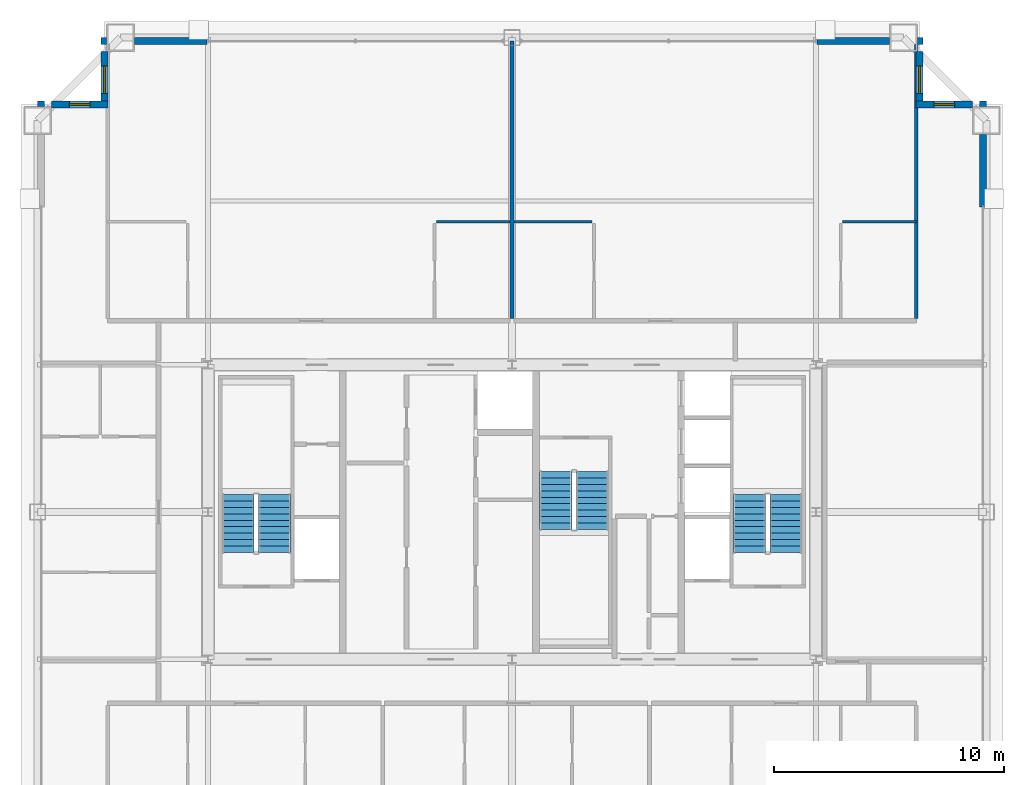
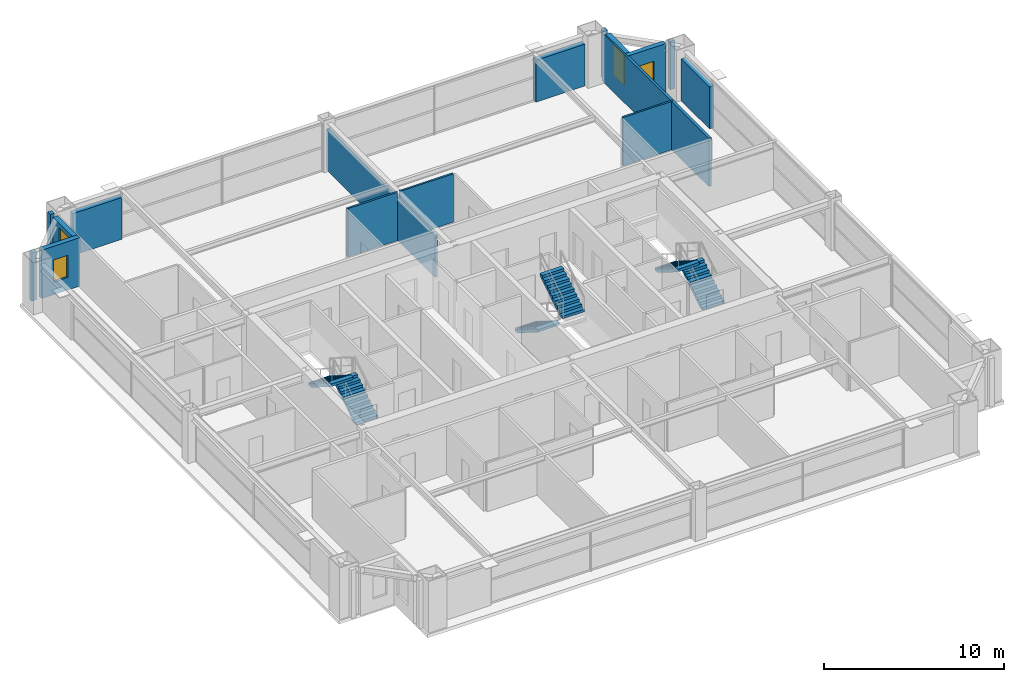
# One storey, part 36 of 37: 16 walls, 6 stair flights, 4 windows, 4 openings, 3 elements without a shape of their own.
"""IFC4 building model written with IfcOpenShell, lengths in metres."""

from ifc_helpers import new_model, si_unit, direction, frame, frame_2d, origin, place, context, subcontext, project, spatial, polyline, rectangle, outline, extrude, source, transform, mapped, material, layer, layer_set, type_object, element, fill, aggregate, save


model = new_model("IFC4")

# Units and contexts
model_context = context("Model", 3, precision=1e-05, world=origin(), true_north=direction((0.0, 1.0)))
body_context = subcontext(model_context, "Body", "Model", "MODEL_VIEW")
ifc_project = project(units=[si_unit("LENGTHUNIT", "METRE"), si_unit("AREAUNIT", "SQUARE_METRE"), si_unit("VOLUMEUNIT", "CUBIC_METRE"), si_unit("PLANEANGLEUNIT", "RADIAN"), si_unit("MASSUNIT", "GRAM", prefix="KILO"), si_unit("THERMODYNAMICTEMPERATUREUNIT", "KELVIN"), si_unit("POWERUNIT", "WATT")], contexts=[model_context])

# Site, building, storey
site_placement = place(None, origin())
site = spatial("IfcSite", under=ifc_project, at=site_placement, CompositionType="ELEMENT")
building_placement = place(site_placement, origin())
building = spatial("IfcBuilding", under=site, at=building_placement, Name="Yuzanri Waterfront Tower", CompositionType="ELEMENT")
storey_placement = place(building_placement, frame((0.0, 0.0, 268.10009765625)))
storey = spatial("IfcBuildingStorey", under=building, at=storey_placement, Name="L71", CompositionType="ELEMENT", Elevation=268.10009765625)

# Wall, opening, window
ifc_material_1 = material(Name="Honed Chongqing Dark Basalt Stone", Category="masonry")
ifc_layer_1 = layer(ifc_material_1, 0.300048828125)
ifc_layer_set_1 = layer_set([ifc_layer_1], Name="Honed Chongqing Dark Basalt Stone")
wall_type_1 = type_object("IfcWallType", Name="Bronze Rainscreen Insulated Spandrel Portal Wall 300", PredefinedType="SOLIDWALL", material=ifc_layer_set_1)
wall_1_placement = place(storey_placement, frame((19.449951171875, 43.5, 0.0), z_axis=(0.0, 0.0, 1.0), x_axis=(-1.0, 0.0, 0.0)))
wall_1 = element("IfcWall", 1, at=wall_1_placement, inside=storey, type_object=wall_type_1, Name="L71 Notched Corner Masonry Wall NW-X", PredefinedType="SOLIDWALL", context=body_context, shape_type="SweptSolid", body=[
    extrude(rectangle(XDim=2.449951171875, YDim=0.300048828125, at=frame_2d((1.22509765625, 0.0))), origin(), (0.0, 0.0, 1.0), 3.27978515625),
])
opening_1_placement = place(wall_1_placement, frame((0.77490234375, 0.0, 0.85009765625)))
opening_1 = element("IfcOpeningElement", 2, at=opening_1_placement, cuts=wall_1, Name="Opening WN-05", PredefinedType="OPENING", context=body_context, shape_type="SweptSolid", body=[
    extrude(rectangle(XDim=0.89990234375, YDim=1.5, at=frame_2d((0.449951171875, 0.75))), frame((0.0, 0.1650390625, 0.0), z_axis=(0.0, -1.0, 0.0), x_axis=(1.0, 0.0, 0.0)), (0.0, 0.0, 1.0), 0.329833984375),
])
ifc_material_2 = material(Name="Double-Silver Low-E Insulated Glass", Category="glass")
window_type_1 = type_object("IfcWindowType", Name="Anodized Bronze Service and Stairwell Smoke-Vent Window 900x1500", PartitioningType="SINGLE_PANEL", PredefinedType="WINDOW", material=ifc_material_2)
shared_shape_1 = source(origin(), body_context, "Body", "SweptSolid", [
    extrude(rectangle(XDim=0.89990234375, YDim=1.5, at=frame_2d((0.449951171875, 0.75))), frame((0.0, 0.030029296875, 0.0), z_axis=(0.0, -1.0, 0.0), x_axis=(1.0, 0.0, 0.0)), (0.0, 0.0, 1.0), 0.06005859375),
])
window_1_placement = place(opening_1_placement, origin())
window_1 = element("IfcWindow", 3, at=window_1_placement, inside=storey, type_object=window_type_1, Name="L71 Notched Corner Window NW-X", OverallHeight=1.5, OverallWidth=0.89990234375, PartitioningType="SINGLE_PANEL", PredefinedType="WINDOW", context=body_context, shape_type="MappedRepresentation", body=[
    mapped(shared_shape_1, transform((0.0, 0.0, 0.0), scale=1.0)),
])
fill(opening_1, window_1)

wall_2_placement = place(storey_placement, frame((19.300048828125, 45.800048828125, 0.0), z_axis=(0.0, 0.0, 1.0), x_axis=(0.0, -1.0, 0.0)))
wall_2 = element("IfcWall", 4, at=wall_2_placement, inside=storey, type_object=wall_type_1, Name="L71 Notched Corner Masonry Wall NW-Y", PredefinedType="SOLIDWALL", context=body_context, shape_type="SweptSolid", body=[
    extrude(rectangle(XDim=2.449951171875, YDim=0.300048828125, at=frame_2d((1.22509765625, 0.0))), origin(), (0.0, 0.0, 1.0), 3.27978515625),
])
opening_2_placement = place(wall_2_placement, frame((0.625, 0.0, 0.85009765625)))
opening_2 = element("IfcOpeningElement", 5, at=opening_2_placement, cuts=wall_2, Name="Opening WN-02", PredefinedType="OPENING", context=body_context, shape_type="SweptSolid", body=[
    extrude(rectangle(XDim=1.199951171875, YDim=2.10009765625, at=frame_2d((0.60009765625, 1.050048828125))), frame((0.0, 0.1650390625, 0.0), z_axis=(0.0, -1.0, 0.0), x_axis=(1.0, 0.0, 0.0)), (0.0, 0.0, 1.0), 0.329833984375),
])
ifc_material_3 = material(Name="Double-Silver Low-E Insulated Glass", Category="glass")
window_type_2 = type_object("IfcWindowType", Name="Anodized Bronze Notched Corner Deep-Set Slot Window 1200x2100", PartitioningType="SINGLE_PANEL", PredefinedType="WINDOW", material=ifc_material_3)
shared_shape_2 = source(origin(), body_context, "Body", "SweptSolid", [
    extrude(rectangle(XDim=1.199951171875, YDim=2.10009765625, at=frame_2d((0.60009765625, 1.050048828125))), frame((0.0, 0.030029296875, 0.0), z_axis=(0.0, -1.0, 0.0), x_axis=(1.0, 0.0, 0.0)), (0.0, 0.0, 1.0), 0.06005859375),
])
window_2_placement = place(opening_2_placement, origin())
window_2 = element("IfcWindow", 6, at=window_2_placement, inside=storey, type_object=window_type_2, Name="L71 Notched Corner Window NW-Y", OverallHeight=2.10009765625, OverallWidth=1.199951171875, PartitioningType="SINGLE_PANEL", PredefinedType="WINDOW", context=body_context, shape_type="MappedRepresentation", body=[
    mapped(shared_shape_2, transform((0.0, 0.0, 0.0), scale=1.0)),
])
fill(opening_2, window_2)

wall_3_placement = place(storey_placement, frame((57.0, 43.5, 0.0), z_axis=(0.0, 0.0, 1.0), x_axis=(-1.0, 0.0, 0.0)))
wall_3 = element("IfcWall", 7, at=wall_3_placement, inside=storey, type_object=wall_type_1, Name="L71 Notched Corner Masonry Wall NE-X", PredefinedType="SOLIDWALL", context=body_context, shape_type="SweptSolid", body=[
    extrude(rectangle(XDim=2.449951171875, YDim=0.300048828125, at=frame_2d((1.22509765625, 0.0))), origin(), (0.0, 0.0, 1.0), 3.27978515625),
])
opening_3_placement = place(wall_3_placement, frame((0.77490234375, 0.0, 0.85009765625)))
opening_3 = element("IfcOpeningElement", 8, at=opening_3_placement, cuts=wall_3, Name="Opening WN-05", PredefinedType="OPENING", context=body_context, shape_type="SweptSolid", body=[
    extrude(rectangle(XDim=0.89990234375, YDim=1.5, at=frame_2d((0.449951171875, 0.75))), frame((0.0, 0.1650390625, 0.0), z_axis=(0.0, -1.0, 0.0), x_axis=(1.0, 0.0, 0.0)), (0.0, 0.0, 1.0), 0.329833984375),
])
window_3_placement = place(opening_3_placement, origin())
window_3 = element("IfcWindow", 9, at=window_3_placement, inside=storey, type_object=window_type_1, Name="L71 Notched Corner Window NE-X", OverallHeight=1.5, OverallWidth=0.89990234375, PartitioningType="SINGLE_PANEL", PredefinedType="WINDOW", context=body_context, shape_type="MappedRepresentation", body=[
    mapped(shared_shape_1, transform((0.0, 0.0, 0.0), scale=1.0)),
])
fill(opening_3, window_3)

wall_4_placement = place(storey_placement, frame((54.699951171875, 43.35009765625, 0.0), z_axis=(0.0, 0.0, 1.0), x_axis=(0.0, 1.0, 0.0)))
wall_4 = element("IfcWall", 10, at=wall_4_placement, inside=storey, type_object=wall_type_1, Name="L71 Notched Corner Masonry Wall NE-Y", PredefinedType="SOLIDWALL", context=body_context, shape_type="SweptSolid", body=[
    extrude(rectangle(XDim=2.449951171875, YDim=0.300048828125, at=frame_2d((1.22509765625, 0.0))), origin(), (0.0, 0.0, 1.0), 3.27978515625),
])
opening_4_placement = place(wall_4_placement, frame((0.625, 0.0, 0.85009765625)))
opening_4 = element("IfcOpeningElement", 11, at=opening_4_placement, cuts=wall_4, Name="Opening WN-02", PredefinedType="OPENING", context=body_context, shape_type="SweptSolid", body=[
    extrude(rectangle(XDim=1.199951171875, YDim=2.10009765625, at=frame_2d((0.60009765625, 1.050048828125))), frame((0.0, 0.1650390625, 0.0), z_axis=(0.0, -1.0, 0.0), x_axis=(1.0, 0.0, 0.0)), (0.0, 0.0, 1.0), 0.329833984375),
])
window_4_placement = place(opening_4_placement, origin())
window_4 = element("IfcWindow", 12, at=window_4_placement, inside=storey, type_object=window_type_2, Name="L71 Notched Corner Window NE-Y", OverallHeight=2.10009765625, OverallWidth=1.199951171875, PartitioningType="SINGLE_PANEL", PredefinedType="WINDOW", context=body_context, shape_type="MappedRepresentation", body=[
    mapped(shared_shape_2, transform((0.0, 0.0, 0.0), scale=1.0)),
])
fill(opening_4, window_4)

# Walls
shared_shape_3 = source(origin(), body_context, "Body", "SweptSolid", [
    extrude(rectangle(XDim=0.25, YDim=0.300048828125, at=frame_2d((0.125, 0.0))), origin(), (0.0, 0.0, 1.0), 3.27978515625),
])
for number, where, z_axis, x_axis, name in (
    (13, (19.14990234375, 46.25, 0.0), (0.0, 0.0, 1.0), (1.0, 0.0, 0.0), "L71 Corner Column Shoulder Return CNW"),
    (14, (54.60009765625, 46.25, 0.0), (0.0, 0.0, 1.0), (1.0, 0.0, 0.0), "L71 Corner Column Shoulder Return CNE"),
    (15, (16.550048828125, 43.39990234375, 0.0), (0.0, 0.0, 1.0), (0.0, 1.0, 0.0), "L71 Corner Column Shoulder Return CWN"),
    (16, (57.449951171875, 43.39990234375, 0.0), (0.0, 0.0, 1.0), (0.0, 1.0, 0.0), "L71 Corner Column Shoulder Return CEN"),
):
    element("IfcWall", number, at=place(storey_placement, frame(where, z_axis=z_axis, x_axis=x_axis)), inside=storey, type_object=wall_type_1, Name=name, PredefinedType="SOLIDWALL", context=body_context, shape_type="MappedRepresentation", body=[
        mapped(shared_shape_3, transform((0.0, 0.0, 0.0), scale=1.0)),
    ])
shared_shape_4 = source(origin(), body_context, "Body", "SweptSolid", [
    extrude(rectangle(XDim=3.14990234375, YDim=0.300048828125, at=frame_2d((1.574951171875, 0.0))), origin(), (0.0, 0.0, 1.0), 2.8349609375),
])
for number, where, z_axis, x_axis, name in (
    (17, (20.60009765625, 46.25, 0.0), (0.0, 0.0, 1.0), (1.0, 0.0, 0.0), "L71 N Left Braced Masonry Shoulder"),
    (18, (50.25, 46.25, 0.0), (0.0, 0.0, 1.0), (1.0, 0.0, 0.0), "L71 N Right Braced Masonry Shoulder"),
    (19, (57.449951171875, 39.050048828125, 0.0), (0.0, 0.0, 1.0), (0.0, 1.0, 0.0), "L71 E Right Braced Masonry Shoulder"),
):
    element("IfcWall", number, at=place(storey_placement, frame(where, z_axis=z_axis, x_axis=x_axis)), inside=storey, type_object=wall_type_1, Name=name, PredefinedType="SOLIDWALL", context=body_context, shape_type="MappedRepresentation", body=[
        mapped(shared_shape_4, transform((0.0, 0.0, 0.0), scale=1.0)),
    ])
ifc_material_4 = material(Name="Gypsum Fireboard Acoustic Stud Wall", Category="gypsum")
ifc_layer_2 = layer(ifc_material_4, 0.159912109375)
ifc_layer_set_2 = layer_set([ifc_layer_2], Name="Gypsum Fireboard Acoustic Stud Wall")
wall_type_2 = type_object("IfcWallType", Name="Acoustic Suite Demising Partition 160", PredefinedType="PARTITIONING", material=ifc_layer_set_2)
shared_shape_5 = source(origin(), body_context, "Body", "SweptSolid", [
    extrude(rectangle(XDim=12.0400390625, YDim=0.159912109375, at=frame_2d((6.02001953125, 0.0))), origin(), (0.0, 0.0, 1.0), 2.786865234375),
])
wall_5_placement = place(storey_placement, frame((37.0, 34.2099609375, 0.0), z_axis=(0.0, 0.0, 1.0), x_axis=(0.0, 1.0, 0.0)))
element("IfcWall", 20, at=wall_5_placement, inside=storey, type_object=wall_type_2, Name="L71-HN1 Party Wall", PredefinedType="PARTITIONING", context=body_context, shape_type="MappedRepresentation", body=[
    mapped(shared_shape_5, transform((0.0, 0.0, 0.0), scale=1.0)),
])
ifc_material_5 = material(Name="Moisture-Resistant Gypsum Stud Wall", Category="gypsum")
ifc_layer_3 = layer(ifc_material_5, 0.1201171875)
ifc_layer_set_3 = layer_set([ifc_layer_3], Name="Moisture-Resistant Gypsum Stud Wall")
wall_type_3 = type_object("IfcWallType", Name="Bathroom and Kitchen Wet Partition 120", PredefinedType="PARTITIONING", material=ifc_layer_set_3)
shared_shape_6 = source(origin(), body_context, "Body", "SweptSolid", [
    extrude(rectangle(XDim=3.199951171875, YDim=0.1201171875, at=frame_2d((1.60009765625, 0.0))), origin(), (0.0, 0.0, 1.0), 3.27978515625),
])
for number, where, z_axis, x_axis, name in (
    (21, (33.719970703125, 38.39990234375, 0.0), (0.0, 0.0, 1.0), (1.0, 0.0, 0.0), "L71 Partition UW-L71-HN1-SUB-2-N"),
    (22, (51.360107421875, 38.39990234375, 0.0), (0.0, 0.0, 1.0), (1.0, 0.0, 0.0), "L71 Partition UW-L71-HN2-SUB-2-N"),
):
    element("IfcWall", number, at=place(storey_placement, frame(where, z_axis=z_axis, x_axis=x_axis)), inside=storey, type_object=wall_type_3, Name=name, PredefinedType="PARTITIONING", context=body_context, shape_type="MappedRepresentation", body=[
        mapped(shared_shape_6, transform((0.0, 0.0, 0.0), scale=1.0)),
    ])
shared_shape_7 = source(origin(), body_context, "Body", "SweptSolid", [
    extrude(rectangle(XDim=11.89013671875, YDim=0.159912109375, at=frame_2d((5.945068359375, 0.0))), origin(), (0.0, 0.0, 1.0), 3.27978515625),
])
wall_6_placement = place(storey_placement, frame((54.550048828125, 34.2099609375, 0.0), z_axis=(0.0, 0.0, 1.0), x_axis=(0.0, 1.0, 0.0)))
element("IfcWall", 23, at=wall_6_placement, inside=storey, type_object=wall_type_2, Name="L71 North Band East End Wall", PredefinedType="PARTITIONING", context=body_context, shape_type="MappedRepresentation", body=[
    mapped(shared_shape_7, transform((0.0, 0.0, 0.0), scale=1.0)),
])
shared_shape_8 = source(origin(), body_context, "Body", "SweptSolid", [
    extrude(rectangle(XDim=3.39990234375, YDim=0.1201171875, at=frame_2d((1.699951171875, 0.0))), origin(), (0.0, 0.0, 1.0), 3.27978515625),
])
wall_7_placement = place(storey_placement, frame((37.080078125, 38.39990234375, 0.0), z_axis=(0.0, 0.0, 1.0), x_axis=(1.0, 0.0, 0.0)))
element("IfcWall", 24, at=wall_7_placement, inside=storey, type_object=wall_type_3, Name="L71 Partition UW-L71-HN2-SUB-1-N", PredefinedType="PARTITIONING", context=body_context, shape_type="MappedRepresentation", body=[
    mapped(shared_shape_8, transform((0.0, 0.0, 0.0), scale=1.0)),
])

# Stair, stair flights
ifc_material_6 = material(Name="Concrete C40", Category="concrete")
stair_type = type_object("IfcStairType", Name="Concrete C40 Core Dogleg Exit Stair", PredefinedType="HALF_TURN_STAIR", material=ifc_material_6)
stair_1_placement = place(storey_placement, origin())
stair_1 = element("IfcStair", 25, at=stair_1_placement, inside=storey, type_object=stair_type, Name="L71 Smoke-Proof Core Stair ST-01", PredefinedType="HALF_TURN_STAIR")
ifc_material_7 = material(Name="Concrete C40", Category="concrete")
stair_flight_type = type_object("IfcStairFlightType", Name="Concrete C40 Precast Stair Flight 1380", PredefinedType="STRAIGHT", material=ifc_material_7)
shared_shape_9 = source(origin(), body_context, "Body", "SweptSolid", [
    extrude(outline(polyline([(0.0, 0.0), (0.0, 0.175048828125), (0.280029296875, 0.175048828125), (0.280029296875, 0.35009765625), (0.56005859375, 0.35009765625), (0.56005859375, 0.52490234375), (0.840087890625, 0.52490234375), (0.840087890625, 0.699951171875), (1.1201171875, 0.699951171875), (1.1201171875, 0.875), (1.39990234375, 0.875), (1.39990234375, 1.050048828125), (1.679931640625, 1.050048828125), (1.679931640625, 1.22509765625), (1.9599609375, 1.22509765625), (1.9599609375, 1.39990234375), (2.239990234375, 1.39990234375), (2.239990234375, 1.574951171875), (2.52001953125, 1.574951171875), (2.52001953125, 1.75), (2.52001953125, 1.398193359375), (0.28271484375, 0.0), (0.0, 0.0)])), frame((0.0, 0.699951171875, 0.0), z_axis=(0.0, -1.0, 0.0), x_axis=(1.0, 0.0, 0.0)), (0.0, 0.0, 1.0), 1.39990234375),
])
stair_flight_1_placement = place(storey_placement, frame((26.699951171875, 24.0400390625, 0.0), z_axis=(0.0, 0.0, 1.0), x_axis=(0.0, 1.0, 0.0)))
stair_flight_1 = element("IfcStairFlight", 26, at=stair_flight_1_placement, type_object=stair_flight_type, Name="ST-01 flight 1", NumberOfRisers=10, NumberOfTreads=9, PredefinedType="STRAIGHT", RiserHeight=0.175, TreadLength=0.28, context=body_context, shape_type="MappedRepresentation", body=[
    mapped(shared_shape_9, transform((0.0, 0.0, 0.0), scale=1.0)),
])
stair_flight_2_placement = place(storey_placement, frame((25.10009765625, 26.56005859375, 1.75), z_axis=(0.0, 0.0, 1.0), x_axis=(0.0, -1.0, 0.0)))
stair_flight_2 = element("IfcStairFlight", 27, at=stair_flight_2_placement, type_object=stair_flight_type, Name="ST-01 flight 2", NumberOfRisers=10, NumberOfTreads=9, PredefinedType="STRAIGHT", RiserHeight=0.175, TreadLength=0.28, context=body_context, shape_type="MappedRepresentation", body=[
    mapped(shared_shape_9, transform((0.0, 0.0, 0.0), scale=1.0)),
])
aggregate(stair_1, [stair_flight_1, stair_flight_2])

stair_2_placement = place(storey_placement, origin())
stair_2 = element("IfcStair", 28, at=stair_2_placement, inside=storey, type_object=stair_type, Name="L71 Smoke-Proof Core Stair ST-02", PredefinedType="HALF_TURN_STAIR")
stair_flight_3_placement = place(storey_placement, frame((48.89990234375, 24.0400390625, 0.0), z_axis=(0.0, 0.0, 1.0), x_axis=(0.0, 1.0, 0.0)))
stair_flight_3 = element("IfcStairFlight", 29, at=stair_flight_3_placement, type_object=stair_flight_type, Name="ST-02 flight 1", NumberOfRisers=10, NumberOfTreads=9, PredefinedType="STRAIGHT", RiserHeight=0.175, TreadLength=0.28, context=body_context, shape_type="MappedRepresentation", body=[
    mapped(shared_shape_9, transform((0.0, 0.0, 0.0), scale=1.0)),
])
stair_flight_4_placement = place(storey_placement, frame((47.300048828125, 26.56005859375, 1.75), z_axis=(0.0, 0.0, 1.0), x_axis=(0.0, -1.0, 0.0)))
stair_flight_4 = element("IfcStairFlight", 30, at=stair_flight_4_placement, type_object=stair_flight_type, Name="ST-02 flight 2", NumberOfRisers=10, NumberOfTreads=9, PredefinedType="STRAIGHT", RiserHeight=0.175, TreadLength=0.28, context=body_context, shape_type="MappedRepresentation", body=[
    mapped(shared_shape_9, transform((0.0, 0.0, 0.0), scale=1.0)),
])
aggregate(stair_2, [stair_flight_3, stair_flight_4])

stair_3_placement = place(storey_placement, origin())
stair_3 = element("IfcStair", 31, at=stair_3_placement, inside=storey, type_object=stair_type, Name="L71 Smoke-Proof Core Stair ST-03", PredefinedType="HALF_TURN_STAIR")
stair_flight_5_placement = place(storey_placement, frame((38.89990234375, 27.56005859375, 0.0), z_axis=(0.0, 0.0, 1.0), x_axis=(0.0, -1.0, 0.0)))
stair_flight_5 = element("IfcStairFlight", 32, at=stair_flight_5_placement, type_object=stair_flight_type, Name="ST-03 flight 1", NumberOfRisers=10, NumberOfTreads=9, PredefinedType="STRAIGHT", RiserHeight=0.175, TreadLength=0.28, context=body_context, shape_type="MappedRepresentation", body=[
    mapped(shared_shape_9, transform((0.0, 0.0, 0.0), scale=1.0)),
])
stair_flight_6_placement = place(storey_placement, frame((40.5, 25.0400390625, 1.75), z_axis=(0.0, 0.0, 1.0), x_axis=(0.0, 1.0, 0.0)))
stair_flight_6 = element("IfcStairFlight", 33, at=stair_flight_6_placement, type_object=stair_flight_type, Name="ST-03 flight 2", NumberOfRisers=10, NumberOfTreads=9, PredefinedType="STRAIGHT", RiserHeight=0.175, TreadLength=0.28, context=body_context, shape_type="MappedRepresentation", body=[
    mapped(shared_shape_9, transform((0.0, 0.0, 0.0), scale=1.0)),
])
aggregate(stair_3, [stair_flight_5, stair_flight_6])

save(model, "model.ifc")
